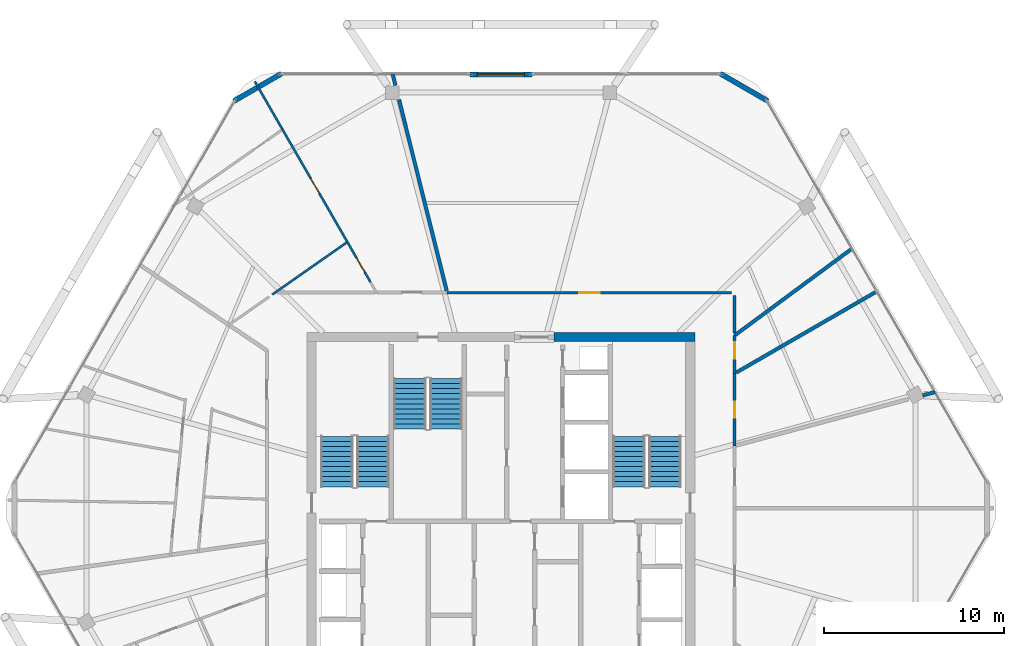
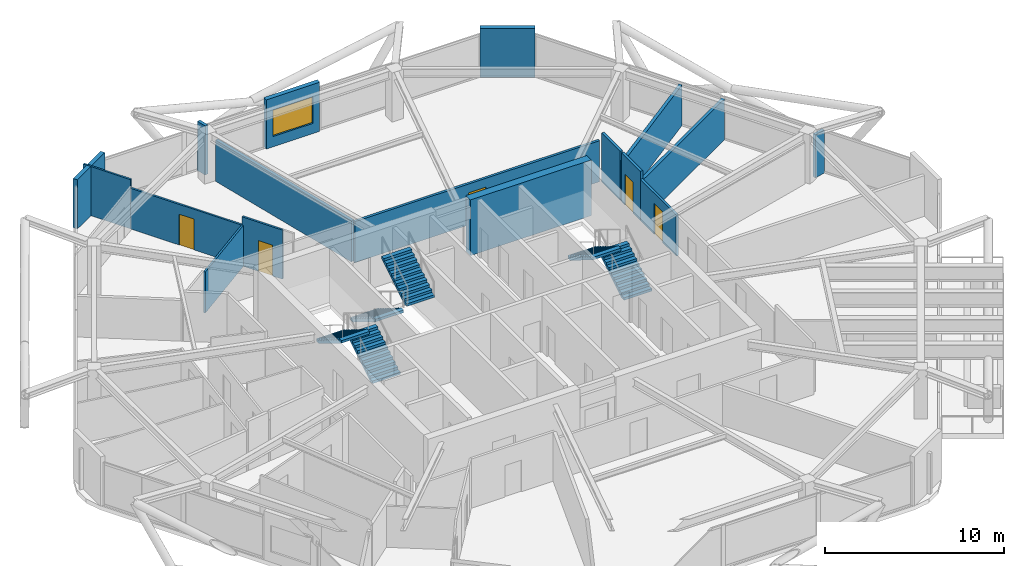
# One storey, part 20 of 23: 17 walls, 6 stair flights, 5 doors, 1 window, 6 openings, 3 elements without a shape of their own.
"""IFC4 building model written with IfcOpenShell, lengths in metres."""

from ifc_helpers import new_model, si_unit, direction, frame, frame_2d, origin, place, context, subcontext, project, spatial, polyline, rectangle, outline, extrude, material, layer, layer_set, type_object, element, fill, aggregate, save


model = new_model("IFC4")

# Units and contexts
model_context = context("Model", 3, precision=1e-05, world=origin(), true_north=direction((0.0, 1.0)))
body_context = subcontext(model_context, "Body", "Model", "MODEL_VIEW")
ifc_project = project(units=[si_unit("LENGTHUNIT", "METRE"), si_unit("AREAUNIT", "SQUARE_METRE"), si_unit("VOLUMEUNIT", "CUBIC_METRE"), si_unit("PLANEANGLEUNIT", "RADIAN"), si_unit("MASSUNIT", "GRAM", prefix="KILO")], contexts=[model_context])

# Site, building, storey
site_placement = place(None, origin())
site = spatial("IfcSite", under=ifc_project, at=site_placement, CompositionType="ELEMENT")
building_placement = place(site_placement, origin())
building = spatial("IfcBuilding", under=site, at=building_placement, Name="Zuhravey Tower", CompositionType="ELEMENT")
storey_placement = place(building_placement, frame((0.0, 0.0, 353.800048828125)))
storey = spatial("IfcBuildingStorey", under=building, at=storey_placement, Name="L90", CompositionType="ELEMENT", Elevation=353.800048828125)

# Wall
ifc_material_1 = material(Name="Concrete C50/60", Category="concrete")
ifc_layer_1 = layer(ifc_material_1, 0.5)
ifc_layer_set_1 = layer_set([ifc_layer_1], Name="Concrete C50/60")
wall_type_1 = type_object("IfcWallType", Name="Core Shear Wall 500", PredefinedType="SHEAR", material=ifc_layer_set_1)
wall_1_placement = place(storey_placement, frame((46.75, 41.5, 0.0), z_axis=(0.0, 0.0, 1.0), x_axis=(-1.0, 0.0, 0.0)))
element("IfcWall", 1, at=wall_1_placement, inside=storey, type_object=wall_type_1, Name="L90 North-East Core Shear Wall CW50", PredefinedType="SHEAR", context=body_context, shape_type="SweptSolid", body=[
    extrude(rectangle(XDim=7.800048828125, YDim=0.5, at=frame_2d((3.89990234375, 0.0))), origin(), (0.0, 0.0, 1.0), 3.800048828125),
])

# Wall, opening, door
ifc_material_2 = material(Name="Gypsum fire-rated stud partition")
ifc_layer_2 = layer(ifc_material_2, 0.159912109375)
ifc_layer_set_2 = layer_set([ifc_layer_2], Name="Gypsum fire-rated stud partition")
wall_type_2 = type_object("IfcWallType", Name="Corridor Fire Partition 160", PredefinedType="PARTITIONING", material=ifc_layer_set_2)
wall_2_placement = place(storey_placement, frame((48.9599609375, 35.47265625, 0.0), z_axis=(0.0, 0.0, 1.0), x_axis=(0.0, 1.0, 0.0)))
wall_2 = element("IfcWall", 2, at=wall_2_placement, inside=storey, type_object=wall_type_2, Name="L90 IW16 Partition 025", PredefinedType="PARTITIONING", context=body_context, shape_type="SweptSolid", body=[
    extrude(rectangle(XDim=4.009765625, YDim=0.159912109375, at=frame_2d((2.0048828125, 0.0))), origin(), (0.0, 0.0, 1.0), 2.800048828125),
])
opening_1_placement = place(wall_2_placement, frame((1.554931640625, 0.0, 0.0)))
opening_1 = element("IfcOpeningElement", 3, at=opening_1_placement, cuts=wall_2, Name="Opening RSD1", PredefinedType="OPENING", context=body_context, shape_type="SweptSolid", body=[
    extrude(rectangle(XDim=0.89990234375, YDim=2.10009765625, at=frame_2d((0.449951171875, 1.050048828125))), frame((0.0, 0.092041015625, 0.0), z_axis=(0.0, -1.0, 0.0), x_axis=(1.0, 0.0, 0.0)), (0.0, 0.0, 1.0), 0.183837890625),
])
ifc_material_3 = material(Name="Galvanised fire-rated steel access leaf", Category="steel")
door_type_1 = type_object("IfcDoorType", Name="Riser & Shaft Access Fire Door 900x2100", OperationType="NOTDEFINED", PredefinedType="DOOR", material=ifc_material_3)
door_1_placement = place(opening_1_placement, frame((0.89990234375, 0.0, 0.0), z_axis=(0.0, 0.0, 1.0), x_axis=(-1.0, 0.0, 0.0)))
door_1 = element("IfcDoor", 4, at=door_1_placement, inside=storey, type_object=door_type_1, Name="L90 Door 025.1", OperationType="SINGLE_SWING_RIGHT", OverallHeight=2.10009765625, OverallWidth=0.89990234375, PredefinedType="DOOR", context=body_context, shape_type="SweptSolid", body=[
    extrude(rectangle(XDim=0.89990234375, YDim=2.10009765625, at=frame_2d((0.449951171875, 1.050048828125))), frame((0.0, 0.02490234375, 0.0), z_axis=(0.0, -1.0, 0.0), x_axis=(1.0, 0.0, 0.0)), (0.0, 0.0, 1.0), 0.050048828125),
])
fill(opening_1, door_1)

wall_3_placement = place(storey_placement, frame((48.9599609375, 39.482421875, 0.0), z_axis=(0.0, 0.0, 1.0), x_axis=(0.0, 1.0, 0.0)))
wall_3 = element("IfcWall", 5, at=wall_3_placement, inside=storey, type_object=wall_type_2, Name="L90 IW16 Partition 026", PredefinedType="PARTITIONING", context=body_context, shape_type="SweptSolid", body=[
    extrude(rectangle(XDim=2.107421875, YDim=0.159912109375, at=frame_2d((1.0537109375, 0.0))), origin(), (0.0, 0.0, 1.0), 3.349853515625),
])
opening_2_placement = place(wall_3_placement, frame((0.82373046875, 0.0, 0.0)))
opening_2 = element("IfcOpeningElement", 6, at=opening_2_placement, cuts=wall_3, Name="Opening RSD1", PredefinedType="OPENING", context=body_context, shape_type="SweptSolid", body=[
    extrude(rectangle(XDim=0.89990234375, YDim=2.10009765625, at=frame_2d((0.449951171875, 1.050048828125))), frame((0.0, 0.092041015625, 0.0), z_axis=(0.0, -1.0, 0.0), x_axis=(1.0, 0.0, 0.0)), (0.0, 0.0, 1.0), 0.183837890625),
])
door_2_placement = place(opening_2_placement, frame((0.89990234375, 0.0, 0.0), z_axis=(0.0, 0.0, 1.0), x_axis=(-1.0, 0.0, 0.0)))
door_2 = element("IfcDoor", 7, at=door_2_placement, inside=storey, type_object=door_type_1, Name="L90 Door 026.1", OperationType="SINGLE_SWING_LEFT", OverallHeight=2.10009765625, OverallWidth=0.89990234375, PredefinedType="DOOR", context=body_context, shape_type="SweptSolid", body=[
    extrude(rectangle(XDim=0.89990234375, YDim=2.10009765625, at=frame_2d((0.449951171875, 1.050048828125))), frame((0.0, 0.02490234375, 0.0), z_axis=(0.0, -1.0, 0.0), x_axis=(1.0, 0.0, 0.0)), (0.0, 0.0, 1.0), 0.050048828125),
])
fill(opening_2, door_2)

wall_4_placement = place(storey_placement, frame((48.800048828125, 43.9599609375, 0.0), z_axis=(0.0, 0.0, 1.0), x_axis=(-1.0, 0.0, 0.0)))
wall_4 = element("IfcWall", 8, at=wall_4_placement, inside=storey, type_object=wall_type_2, Name="L90 IW16 Partition 027", PredefinedType="PARTITIONING", context=body_context, shape_type="SweptSolid", body=[
    extrude(rectangle(XDim=15.781982421875, YDim=0.159912109375, at=frame_2d((7.89111328125, 0.0))), origin(), (0.0, 0.0, 1.0), 2.800048828125),
])
opening_3_placement = place(wall_4_placement, frame((7.31591796875, 0.0, 0.0)))
opening_3 = element("IfcOpeningElement", 9, at=opening_3_placement, cuts=wall_4, Name="Opening CLD1", PredefinedType="OPENING", context=body_context, shape_type="SweptSolid", body=[
    extrude(rectangle(XDim=1.14990234375, YDim=2.199951171875, at=frame_2d((0.574951171875, 1.10009765625))), frame((0.0, 0.092041015625, 0.0), z_axis=(0.0, -1.0, 0.0), x_axis=(1.0, 0.0, 0.0)), (0.0, 0.0, 1.0), 0.183837890625),
])
ifc_material_4 = material(Name="Acoustic timber leaf with vision lite", Category="wood")
door_type_2 = type_object("IfcDoorType", Name="Classroom Acoustic Door 1150x2200", OperationType="NOTDEFINED", PredefinedType="DOOR", material=ifc_material_4)
door_3_placement = place(opening_3_placement, frame((1.14990234375, 0.0, 0.0), z_axis=(0.0, 0.0, 1.0), x_axis=(-1.0, 0.0, 0.0)))
door_3 = element("IfcDoor", 10, at=door_3_placement, inside=storey, type_object=door_type_2, Name="L90 Door 027.1", OperationType="SINGLE_SWING_RIGHT", OverallHeight=2.199951171875, OverallWidth=1.14990234375, PredefinedType="DOOR", context=body_context, shape_type="SweptSolid", body=[
    extrude(rectangle(XDim=1.14990234375, YDim=2.199951171875, at=frame_2d((0.574951171875, 1.10009765625))), frame((0.0, 0.02490234375, 0.0), z_axis=(0.0, -1.0, 0.0), x_axis=(1.0, 0.0, 0.0)), (0.0, 0.0, 1.0), 0.050048828125),
])
fill(opening_3, door_3)

# Walls
wall_5_placement = place(storey_placement, frame((48.9599609375, 41.724365234375, 0.0), z_axis=(0.0, 0.0, 1.0), x_axis=(0.0, 1.0, 0.0)))
element("IfcWall", 11, at=wall_5_placement, inside=storey, type_object=wall_type_2, Name="L90 IW16 Partition 056", PredefinedType="PARTITIONING", context=body_context, shape_type="SweptSolid", body=[
    extrude(rectangle(XDim=2.07568359375, YDim=0.159912109375, at=frame_2d((1.037841796875, 0.0))), origin(), (0.0, 0.0, 1.0), 3.349853515625),
])
ifc_material_5 = material(Name="Precast concrete C40/50", Category="concrete")
ifc_layer_3 = layer(ifc_material_5, 0.280029296875)
ifc_layer_set_3 = layer_set([ifc_layer_3], Name="Precast concrete C40/50")
wall_type_3 = type_object("IfcWallType", Name="Crown Architectural Wall 280", PredefinedType="SOLIDWALL", material=ifc_layer_set_3)
wall_6_placement = place(storey_placement, frame((21.188720703125, 54.589111328125, 0.0), z_axis=(0.0, 0.0, 1.0), x_axis=(0.866023752521, 0.50000286006, 0.0)))
element("IfcWall", 12, at=wall_6_placement, inside=storey, type_object=wall_type_3, Name="L90 Rounded Corner Closure Wall EW28-08", PredefinedType="SOLIDWALL", context=body_context, shape_type="SweptSolid", body=[
    extrude(rectangle(XDim=3.06494140625, YDim=0.280029296875, at=frame_2d((1.532470703125, 0.0))), origin(), (0.0, 0.0, 1.0), 3.349853515625),
])

# Wall, opening, window
wall_7_placement = place(storey_placement, frame((34.280029296875, 56.07421875, 0.0), z_axis=(0.0, 0.0, 1.0), x_axis=(1.0, 0.0, 0.0)))
wall_7 = element("IfcWall", 13, at=wall_7_placement, inside=storey, type_object=wall_type_3, Name="L90 Face 2 Facade Pier EW28-1", PredefinedType="SOLIDWALL", context=body_context, shape_type="SweptSolid", body=[
    extrude(rectangle(XDim=3.43994140625, YDim=0.280029296875, at=frame_2d((1.719970703125, 0.0))), origin(), (0.0, 0.0, 1.0), 3.349853515625),
])
opening_4_placement = place(wall_7_placement, frame((0.419921875, 0.0, 0.699951171875)))
opening_4 = element("IfcOpeningElement", 14, at=opening_4_placement, cuts=wall_7, Name="Opening WN4", PredefinedType="OPENING", context=body_context, shape_type="SweptSolid", body=[
    extrude(rectangle(XDim=2.60009765625, YDim=1.800048828125, at=frame_2d((1.300048828125, 0.89990234375))), frame((0.0, 0.152099609375, 0.0), z_axis=(0.0, -1.0, 0.0), x_axis=(1.0, 0.0, 0.0)), (0.0, 0.0, 1.0), 0.303955078125),
])
ifc_material_6 = material(Name="Thermally broken aluminium and triple low-E glass", Category="aluminium")
window_type = type_object("IfcWindowType", Name="Sky-Pool Observatory Window 2600x1800", PartitioningType="SINGLE_PANEL", PredefinedType="WINDOW", material=ifc_material_6)
window_placement = place(opening_4_placement, origin())
window = element("IfcWindow", 15, at=window_placement, inside=storey, type_object=window_type, Name="L90 Face 2 Feature Window", OverallHeight=1.800048828125, OverallWidth=2.60009765625, PartitioningType="SINGLE_PANEL", PredefinedType="WINDOW", context=body_context, shape_type="SweptSolid", body=[
    extrude(rectangle(XDim=2.60009765625, YDim=1.800048828125, at=frame_2d((1.300048828125, 0.89990234375))), frame((0.0, 0.030029296875, 0.0), z_axis=(0.0, -1.0, 0.0), x_axis=(1.0, 0.0, 0.0)), (0.0, 0.0, 1.0), 0.06005859375),
])
fill(opening_4, window)

# Walls
wall_8_placement = place(storey_placement, frame((48.156982421875, 56.12158203125, 0.0), z_axis=(0.0, 0.0, 1.0), x_axis=(0.866023752521, -0.50000286006, 0.0)))
element("IfcWall", 16, at=wall_8_placement, inside=storey, type_object=wall_type_3, Name="L90 Rounded Corner Closure Wall EW28-10", PredefinedType="SOLIDWALL", context=body_context, shape_type="SweptSolid", body=[
    extrude(rectangle(XDim=3.06494140625, YDim=0.280029296875, at=frame_2d((1.532470703125, 0.0))), origin(), (0.0, 0.0, 1.0), 3.349853515625),
])
ifc_material_7 = material(Name="Gypsum double-stud party assembly")
ifc_layer_4 = layer(ifc_material_7, 0.199951171875)
ifc_layer_set_4 = layer_set([ifc_layer_4], Name="Gypsum double-stud party assembly")
wall_type_4 = type_object("IfcWallType", Name="Inter-Tenancy Party Wall 200", PredefinedType="PARTITIONING", material=ifc_layer_set_4)
wall_9_placement = place(storey_placement, frame((59.388427734375, 38.266845703125, 0.0), z_axis=(0.0, 0.0, 1.0), x_axis=(0.965897390407, 0.258925145951, 0.0)))
element("IfcWall", 17, at=wall_9_placement, inside=storey, type_object=wall_type_4, Name="L90 IW20 Partition 053", PredefinedType="PARTITIONING", context=body_context, shape_type="SweptSolid", body=[
    extrude(rectangle(XDim=0.7099609375, YDim=0.199951171875, at=frame_2d((0.35498046875, 0.0))), origin(), (0.0, 0.0, 1.0), 2.921875),
])
wall_10_placement = place(storey_placement, frame((49.048095703125, 39.533203125, 0.0), z_axis=(0.0, 0.0, 1.0), x_axis=(0.866019486308, 0.50001024923, 0.0)))
element("IfcWall", 18, at=wall_10_placement, inside=storey, type_object=wall_type_4, Name="L90 IW20 Partition 054", PredefinedType="PARTITIONING", context=body_context, shape_type="SweptSolid", body=[
    extrude(rectangle(XDim=9.007568359375, YDim=0.199951171875, at=frame_2d((4.50390625, 0.0))), origin(), (0.0, 0.0, 1.0), 2.77001953125),
])
wall_11_placement = place(storey_placement, frame((48.9599609375, 41.58984375, 0.0), z_axis=(0.0, 0.0, 1.0), x_axis=(0.80384621872, 0.594837168181, 0.0)))
element("IfcWall", 19, at=wall_11_placement, inside=storey, type_object=wall_type_4, Name="L90 IW20 Partition 055", PredefinedType="PARTITIONING", context=body_context, shape_type="SweptSolid", body=[
    extrude(rectangle(XDim=8.107666015625, YDim=0.199951171875, at=frame_2d((4.0537109375, 0.0))), origin(), (0.0, 0.0, 1.0), 2.77001953125),
])
wall_12_placement = place(storey_placement, frame((32.9912109375, 44.068115234375, 0.0), z_axis=(0.0, 0.0, 1.0), x_axis=(-0.241936189949, 0.970292162183, 0.0)))
element("IfcWall", 20, at=wall_12_placement, inside=storey, type_object=wall_type_4, Name="L90 IW20 Partition 057", PredefinedType="PARTITIONING", context=body_context, shape_type="SweptSolid", body=[
    extrude(rectangle(XDim=10.925537109375, YDim=0.199951171875, at=frame_2d((5.462890625, 0.0))), origin(), (0.0, 0.0, 1.0), 2.800048828125),
])
wall_13_placement = place(storey_placement, frame((30.15087890625, 55.458984375, 0.0), z_axis=(0.0, 0.0, 1.0), x_axis=(-0.24144817443, 0.970413715414, 0.0)))
element("IfcWall", 21, at=wall_13_placement, inside=storey, type_object=wall_type_4, Name="L90 IW20 Partition 058", PredefinedType="PARTITIONING", context=body_context, shape_type="SweptSolid", body=[
    extrude(rectangle(XDim=0.634033203125, YDim=0.199951171875, at=frame_2d((0.31689453125, 0.0))), origin(), (0.0, 0.0, 1.0), 3.349853515625),
])

# Wall, opening, door
ifc_material_8 = material(Name="Gypsum metal-stud partition")
ifc_layer_5 = layer(ifc_material_8, 0.1201171875)
ifc_layer_set_5 = layer_set([ifc_layer_5], Name="Gypsum metal-stud partition")
wall_type_5 = type_object("IfcWallType", Name="Unit Internal Partition 120", PredefinedType="PARTITIONING", material=ifc_layer_set_5)
wall_14_placement = place(storey_placement, frame((28.765869140625, 44.550048828125, 0.0), z_axis=(0.0, 0.0, 1.0), x_axis=(-0.499380083009, 0.866383017316, 0.0)))
wall_14 = element("IfcWall", 22, at=wall_14_placement, inside=storey, type_object=wall_type_5, Name="L90 IW12 Partition 028", PredefinedType="PARTITIONING", context=body_context, shape_type="SweptSolid", body=[
    extrude(rectangle(XDim=2.593017578125, YDim=0.1201171875, at=frame_2d((1.29638671875, 0.0))), origin(), (0.0, 0.0, 1.0), 3.349853515625),
])
opening_5_placement = place(wall_14_placement, frame((0.63916015625, 0.0, 0.0)))
opening_5 = element("IfcOpeningElement", 23, at=opening_5_placement, cuts=wall_14, Name="Opening WCD1", PredefinedType="OPENING", context=body_context, shape_type="SweptSolid", body=[
    extrude(rectangle(XDim=0.89990234375, YDim=2.10009765625, at=frame_2d((0.449951171875, 1.050048828125))), frame((0.0, 0.072021484375, 0.0), z_axis=(0.0, -1.0, 0.0), x_axis=(1.0, 0.0, 0.0)), (0.0, 0.0, 1.0), 0.14404296875),
])
ifc_material_9 = material(Name="Moisture-resistant timber leaf", Category="wood")
door_type_3 = type_object("IfcDoorType", Name="Bathroom & WC Internal Door 900x2100", OperationType="NOTDEFINED", PredefinedType="DOOR", material=ifc_material_9)
door_4_placement = place(opening_5_placement, origin())
door_4 = element("IfcDoor", 24, at=door_4_placement, inside=storey, type_object=door_type_3, Name="Apartment L90-01 Bathroom Door", OperationType="SINGLE_SWING_LEFT", OverallHeight=2.10009765625, OverallWidth=0.89990234375, PredefinedType="DOOR", context=body_context, shape_type="SweptSolid", body=[
    extrude(rectangle(XDim=0.89990234375, YDim=2.10009765625, at=frame_2d((0.449951171875, 1.050048828125))), frame((0.0, 0.02490234375, 0.0), z_axis=(0.0, -1.0, 0.0), x_axis=(1.0, 0.0, 0.0)), (0.0, 0.0, 1.0), 0.050048828125),
])
fill(opening_5, door_4)

wall_15_placement = place(storey_placement, frame((27.470947265625, 46.796630859375, 0.0), z_axis=(0.0, 0.0, 1.0), x_axis=(-0.499402562398, 0.866370059888, 0.0)))
wall_15 = element("IfcWall", 25, at=wall_15_placement, inside=storey, type_object=wall_type_5, Name="L90 IW12 Partition 029", PredefinedType="PARTITIONING", context=body_context, shape_type="SweptSolid", body=[
    extrude(rectangle(XDim=7.202392578125, YDim=0.1201171875, at=frame_2d((3.60107421875, 0.0))), origin(), (0.0, 0.0, 1.0), 2.77001953125),
])
opening_6_placement = place(wall_15_placement, frame((3.10107421875, 0.0, 0.0)))
opening_6 = element("IfcOpeningElement", 26, at=opening_6_placement, cuts=wall_15, Name="Opening IND1", PredefinedType="OPENING", context=body_context, shape_type="SweptSolid", body=[
    extrude(rectangle(XDim=0.949951171875, YDim=2.10009765625, at=frame_2d((0.47509765625, 1.050048828125))), frame((0.0, 0.072021484375, 0.0), z_axis=(0.0, -1.0, 0.0), x_axis=(1.0, 0.0, 0.0)), (0.0, 0.0, 1.0), 0.14404296875),
])
ifc_material_10 = material(Name="Painted engineered timber leaf", Category="wood")
door_type_4 = type_object("IfcDoorType", Name="Internal Room & Bedroom Door 950x2100", OperationType="NOTDEFINED", PredefinedType="DOOR", material=ifc_material_10)
door_5_placement = place(opening_6_placement, origin())
door_5 = element("IfcDoor", 27, at=door_5_placement, inside=storey, type_object=door_type_4, Name="Apartment L90-01 Home Office Door", OperationType="SINGLE_SWING_RIGHT", OverallHeight=2.10009765625, OverallWidth=0.949951171875, PredefinedType="DOOR", context=body_context, shape_type="SweptSolid", body=[
    extrude(rectangle(XDim=0.949951171875, YDim=2.10009765625, at=frame_2d((0.47509765625, 1.050048828125))), frame((0.0, 0.02490234375, 0.0), z_axis=(0.0, -1.0, 0.0), x_axis=(1.0, 0.0, 0.0)), (0.0, 0.0, 1.0), 0.050048828125),
])
fill(opening_6, door_5)

# Walls
wall_16_placement = place(storey_placement, frame((23.8740234375, 53.03662109375, 0.0), z_axis=(0.0, 0.0, 1.0), x_axis=(-0.499419092817, 0.866360531032, 0.0)))
element("IfcWall", 28, at=wall_16_placement, inside=storey, type_object=wall_type_5, Name="L90 IW12 Partition 060", PredefinedType="PARTITIONING", context=body_context, shape_type="SweptSolid", body=[
    extrude(rectangle(XDim=3.04248046875, YDim=0.1201171875, at=frame_2d((1.521240234375, 0.0))), origin(), (0.0, 0.0, 1.0), 3.349853515625),
])
wall_17_placement = place(storey_placement, frame((27.427490234375, 46.73583984375, 0.0), z_axis=(0.0, 0.0, 1.0), x_axis=(-0.819165574648, -0.573557112511, 0.0)))
element("IfcWall", 29, at=wall_17_placement, inside=storey, type_object=wall_type_5, Name="L90 IW12 Partition 061", PredefinedType="PARTITIONING", context=body_context, shape_type="SweptSolid", body=[
    extrude(rectangle(XDim=5.013916015625, YDim=0.1201171875, at=frame_2d((2.5068359375, 0.0))), origin(), (0.0, 0.0, 1.0), 2.800048828125),
])

# Stair, stair flights
ifc_material_11 = material(Name="Concrete C40/50", Category="concrete")
stair_type = type_object("IfcStairType", Name="Housing Storey Stair Assembly 3800", PredefinedType="HALF_TURN_STAIR", material=ifc_material_11)
stair_1_placement = place(storey_placement, origin())
stair_1 = element("IfcStair", 30, at=stair_1_placement, inside=storey, type_object=stair_type, Name="L90 Core Exit Stair ST1", PredefinedType="HALF_TURN_STAIR")
stair_flight_type = type_object("IfcStairFlightType", Name="Housing Storey Stair Flight 3800", PredefinedType="STRAIGHT", material=ifc_material_11)
stair_flight_1_placement = place(storey_placement, frame((28.89990234375, 33.199951171875, 0.0), z_axis=(0.0, 0.0, 1.0), x_axis=(0.0, 1.0, 0.0)))
stair_flight_1 = element("IfcStairFlight", 31, at=stair_flight_1_placement, type_object=stair_flight_type, Name="ST1 flight 1", NumberOfRisers=11, NumberOfTreads=10, PredefinedType="STRAIGHT", RiserHeight=0.172727273, TreadLength=0.28, context=body_context, shape_type="SweptSolid", body=[
    extrude(outline(polyline([(0.0, 0.0), (0.0, 0.172607421875), (0.280029296875, 0.172607421875), (0.280029296875, 0.345458984375), (0.56005859375, 0.345458984375), (0.56005859375, 0.51806640625), (0.840087890625, 0.51806640625), (0.840087890625, 0.69091796875), (1.1201171875, 0.69091796875), (1.1201171875, 0.863525390625), (1.39990234375, 0.863525390625), (1.39990234375, 1.036376953125), (1.679931640625, 1.036376953125), (1.679931640625, 1.208984375), (1.9599609375, 1.208984375), (1.9599609375, 1.3818359375), (2.239990234375, 1.3818359375), (2.239990234375, 1.554443359375), (2.52001953125, 1.554443359375), (2.52001953125, 1.727294921875), (2.800048828125, 1.727294921875), (2.800048828125, 1.89990234375), (2.800048828125, 1.551025390625), (0.285400390625, 0.0), (0.0, 0.0)])), frame((0.0, 0.89990234375, 0.0), z_axis=(0.0, -1.0, 0.0), x_axis=(1.0, 0.0, 0.0)), (0.0, 0.0, 1.0), 1.800048828125),
])
stair_flight_2_placement = place(storey_placement, frame((26.89990234375, 36.0, 1.89990234375), z_axis=(0.0, 0.0, 1.0), x_axis=(0.0, -1.0, 0.0)))
stair_flight_2 = element("IfcStairFlight", 32, at=stair_flight_2_placement, type_object=stair_flight_type, Name="ST1 flight 2", NumberOfRisers=11, NumberOfTreads=10, PredefinedType="STRAIGHT", RiserHeight=0.172727273, TreadLength=0.28, context=body_context, shape_type="SweptSolid", body=[
    extrude(outline(polyline([(0.0, 0.0), (0.0, 0.172607421875), (0.280029296875, 0.172607421875), (0.280029296875, 0.345458984375), (0.56005859375, 0.345458984375), (0.56005859375, 0.51806640625), (0.840087890625, 0.51806640625), (0.840087890625, 0.69091796875), (1.1201171875, 0.69091796875), (1.1201171875, 0.863525390625), (1.39990234375, 0.863525390625), (1.39990234375, 1.036376953125), (1.679931640625, 1.036376953125), (1.679931640625, 1.208984375), (1.9599609375, 1.208984375), (1.9599609375, 1.3818359375), (2.239990234375, 1.3818359375), (2.239990234375, 1.554443359375), (2.52001953125, 1.554443359375), (2.52001953125, 1.727294921875), (2.800048828125, 1.727294921875), (2.800048828125, 1.89990234375), (2.800048828125, 1.551025390625), (0.285400390625, 0.0), (0.0, 0.0)])), frame((0.0, 0.89990234375, 0.0), z_axis=(0.0, -1.0, 0.0), x_axis=(1.0, 0.0, 0.0)), (0.0, 0.0, 1.0), 1.800048828125),
])
aggregate(stair_1, [stair_flight_1, stair_flight_2])

stair_2_placement = place(storey_placement, origin())
stair_2 = element("IfcStair", 33, at=stair_2_placement, inside=storey, type_object=stair_type, Name="L90 Core Exit Stair ST2", PredefinedType="HALF_TURN_STAIR")
stair_flight_3_placement = place(storey_placement, frame((45.10009765625, 33.199951171875, 0.0), z_axis=(0.0, 0.0, 1.0), x_axis=(0.0, 1.0, 0.0)))
stair_flight_3 = element("IfcStairFlight", 34, at=stair_flight_3_placement, type_object=stair_flight_type, Name="ST2 flight 1", NumberOfRisers=11, NumberOfTreads=10, PredefinedType="STRAIGHT", RiserHeight=0.172727273, TreadLength=0.28, context=body_context, shape_type="SweptSolid", body=[
    extrude(outline(polyline([(0.0, 0.0), (0.0, 0.172607421875), (0.280029296875, 0.172607421875), (0.280029296875, 0.345458984375), (0.56005859375, 0.345458984375), (0.56005859375, 0.51806640625), (0.840087890625, 0.51806640625), (0.840087890625, 0.69091796875), (1.1201171875, 0.69091796875), (1.1201171875, 0.863525390625), (1.39990234375, 0.863525390625), (1.39990234375, 1.036376953125), (1.679931640625, 1.036376953125), (1.679931640625, 1.208984375), (1.9599609375, 1.208984375), (1.9599609375, 1.3818359375), (2.239990234375, 1.3818359375), (2.239990234375, 1.554443359375), (2.52001953125, 1.554443359375), (2.52001953125, 1.727294921875), (2.800048828125, 1.727294921875), (2.800048828125, 1.89990234375), (2.800048828125, 1.551025390625), (0.285400390625, 0.0), (0.0, 0.0)])), frame((0.0, 0.89990234375, 0.0), z_axis=(0.0, -1.0, 0.0), x_axis=(1.0, 0.0, 0.0)), (0.0, 0.0, 1.0), 1.800048828125),
])
stair_flight_4_placement = place(storey_placement, frame((43.10009765625, 36.0, 1.89990234375), z_axis=(0.0, 0.0, 1.0), x_axis=(0.0, -1.0, 0.0)))
stair_flight_4 = element("IfcStairFlight", 35, at=stair_flight_4_placement, type_object=stair_flight_type, Name="ST2 flight 2", NumberOfRisers=11, NumberOfTreads=10, PredefinedType="STRAIGHT", RiserHeight=0.172727273, TreadLength=0.28, context=body_context, shape_type="SweptSolid", body=[
    extrude(outline(polyline([(0.0, 0.0), (0.0, 0.172607421875), (0.280029296875, 0.172607421875), (0.280029296875, 0.345458984375), (0.56005859375, 0.345458984375), (0.56005859375, 0.51806640625), (0.840087890625, 0.51806640625), (0.840087890625, 0.69091796875), (1.1201171875, 0.69091796875), (1.1201171875, 0.863525390625), (1.39990234375, 0.863525390625), (1.39990234375, 1.036376953125), (1.679931640625, 1.036376953125), (1.679931640625, 1.208984375), (1.9599609375, 1.208984375), (1.9599609375, 1.3818359375), (2.239990234375, 1.3818359375), (2.239990234375, 1.554443359375), (2.52001953125, 1.554443359375), (2.52001953125, 1.727294921875), (2.800048828125, 1.727294921875), (2.800048828125, 1.89990234375), (2.800048828125, 1.551025390625), (0.285400390625, 0.0), (0.0, 0.0)])), frame((0.0, 0.89990234375, 0.0), z_axis=(0.0, -1.0, 0.0), x_axis=(1.0, 0.0, 0.0)), (0.0, 0.0, 1.0), 1.800048828125),
])
aggregate(stair_2, [stair_flight_3, stair_flight_4])

stair_3_placement = place(storey_placement, origin())
stair_3 = element("IfcStair", 36, at=stair_3_placement, inside=storey, type_object=stair_type, Name="L90 Core Exit Stair ST3", PredefinedType="HALF_TURN_STAIR")
stair_flight_5_placement = place(storey_placement, frame((30.949951171875, 39.199951171875, 0.0), z_axis=(0.0, 0.0, 1.0), x_axis=(0.0, -1.0, 0.0)))
stair_flight_5 = element("IfcStairFlight", 37, at=stair_flight_5_placement, type_object=stair_flight_type, Name="ST3 flight 1", NumberOfRisers=11, NumberOfTreads=10, PredefinedType="STRAIGHT", RiserHeight=0.172727273, TreadLength=0.28, context=body_context, shape_type="SweptSolid", body=[
    extrude(outline(polyline([(0.0, 0.0), (0.0, 0.172607421875), (0.280029296875, 0.172607421875), (0.280029296875, 0.345458984375), (0.56005859375, 0.345458984375), (0.56005859375, 0.51806640625), (0.840087890625, 0.51806640625), (0.840087890625, 0.69091796875), (1.1201171875, 0.69091796875), (1.1201171875, 0.863525390625), (1.39990234375, 0.863525390625), (1.39990234375, 1.036376953125), (1.679931640625, 1.036376953125), (1.679931640625, 1.208984375), (1.9599609375, 1.208984375), (1.9599609375, 1.3818359375), (2.239990234375, 1.3818359375), (2.239990234375, 1.554443359375), (2.52001953125, 1.554443359375), (2.52001953125, 1.727294921875), (2.800048828125, 1.727294921875), (2.800048828125, 1.89990234375), (2.800048828125, 1.551025390625), (0.285400390625, 0.0), (0.0, 0.0)])), frame((0.0, 0.89990234375, 0.0), z_axis=(0.0, -1.0, 0.0), x_axis=(1.0, 0.0, 0.0)), (0.0, 0.0, 1.0), 1.800048828125),
])
stair_flight_6_placement = place(storey_placement, frame((32.949951171875, 36.39990234375, 1.89990234375), z_axis=(0.0, 0.0, 1.0), x_axis=(0.0, 1.0, 0.0)))
stair_flight_6 = element("IfcStairFlight", 38, at=stair_flight_6_placement, type_object=stair_flight_type, Name="ST3 flight 2", NumberOfRisers=11, NumberOfTreads=10, PredefinedType="STRAIGHT", RiserHeight=0.172727273, TreadLength=0.28, context=body_context, shape_type="SweptSolid", body=[
    extrude(outline(polyline([(0.0, 0.0), (0.0, 0.172607421875), (0.280029296875, 0.172607421875), (0.280029296875, 0.345458984375), (0.56005859375, 0.345458984375), (0.56005859375, 0.51806640625), (0.840087890625, 0.51806640625), (0.840087890625, 0.69091796875), (1.1201171875, 0.69091796875), (1.1201171875, 0.863525390625), (1.39990234375, 0.863525390625), (1.39990234375, 1.036376953125), (1.679931640625, 1.036376953125), (1.679931640625, 1.208984375), (1.9599609375, 1.208984375), (1.9599609375, 1.3818359375), (2.239990234375, 1.3818359375), (2.239990234375, 1.554443359375), (2.52001953125, 1.554443359375), (2.52001953125, 1.727294921875), (2.800048828125, 1.727294921875), (2.800048828125, 1.89990234375), (2.800048828125, 1.551025390625), (0.285400390625, 0.0), (0.0, 0.0)])), frame((0.0, 0.89990234375, 0.0), z_axis=(0.0, -1.0, 0.0), x_axis=(1.0, 0.0, 0.0)), (0.0, 0.0, 1.0), 1.800048828125),
])
aggregate(stair_3, [stair_flight_5, stair_flight_6])

save(model, "model.ifc")
